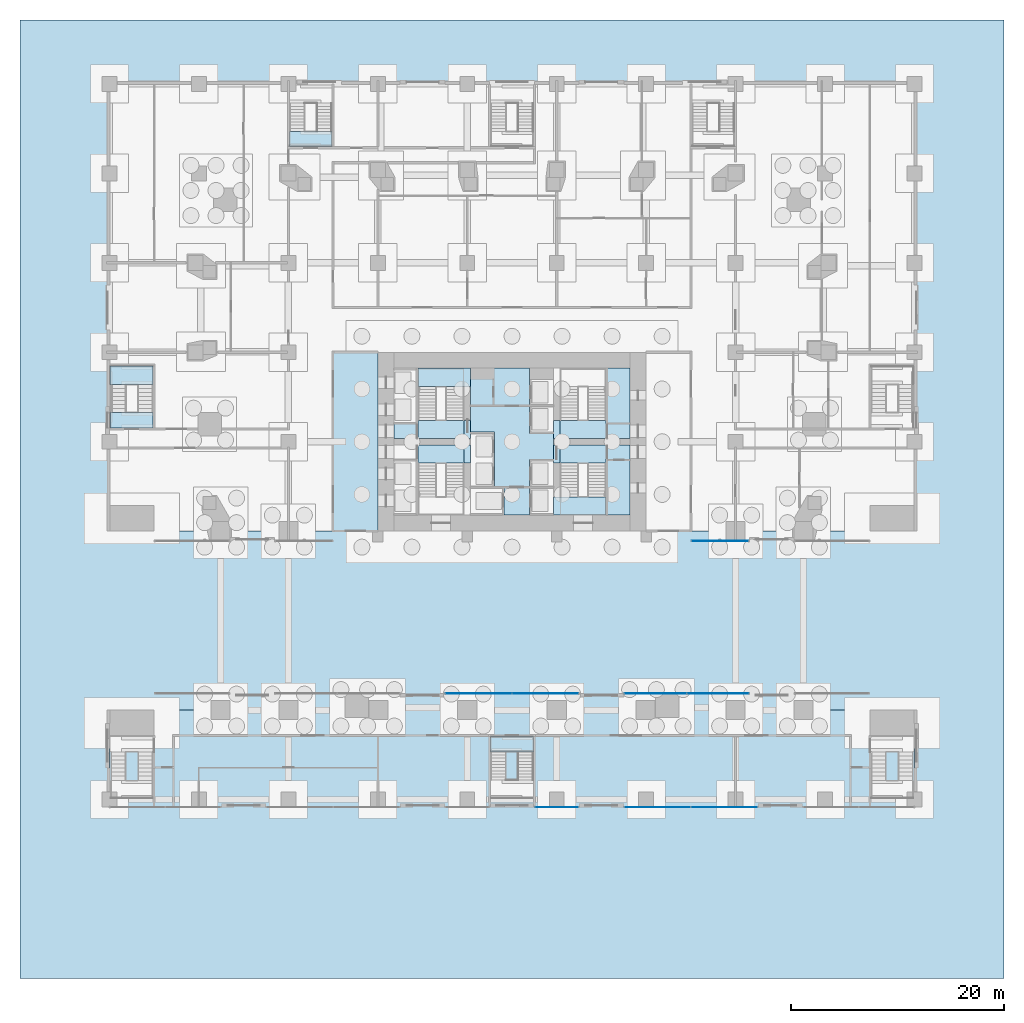
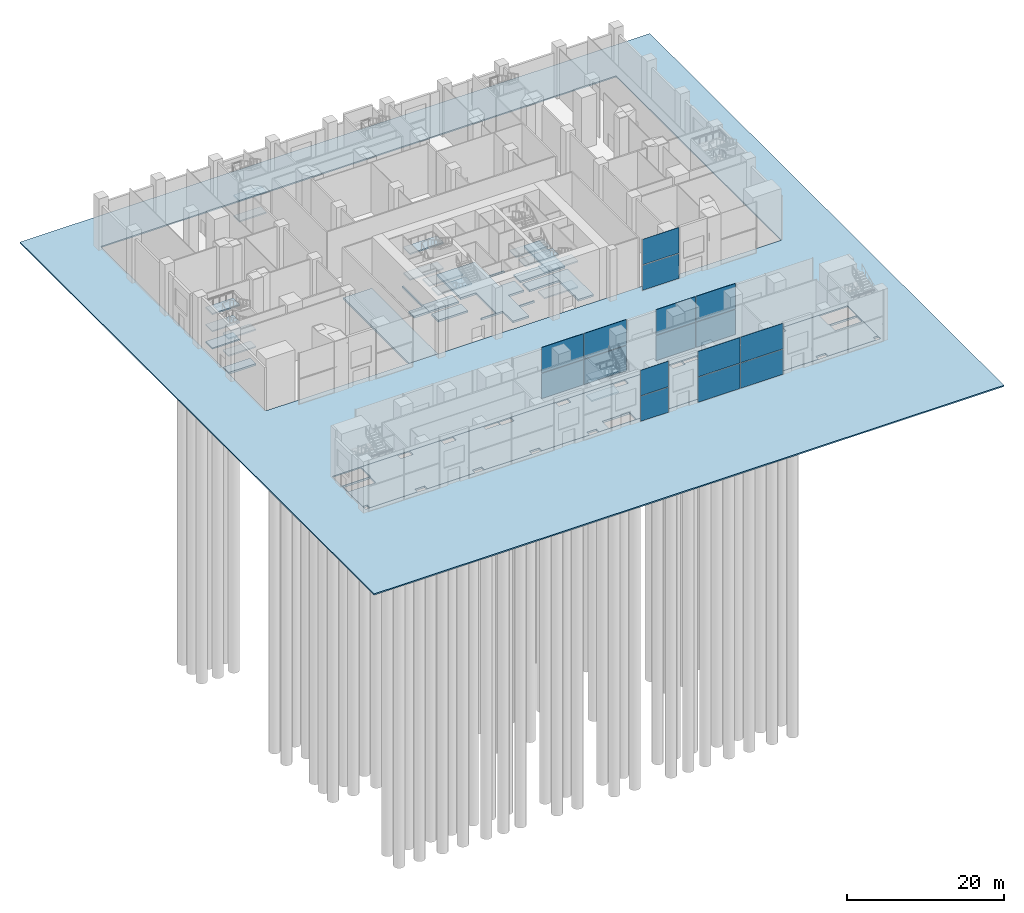
# One storey, part 11 of 31: 29 slabs, 16 plates, 12 elements without a shape of their own.
"""IFC4 building model written with IfcOpenShell, lengths in metres."""

from ifc_helpers import new_model, si_unit, direction, frame, origin, origin_2d, place, context, subcontext, project, spatial, polyline, rectangle, outline, extrude, material, layer, layer_set, type_object, element, aggregate, save


model = new_model("IFC4")

# Units and contexts
model_context = context("Model", 3, precision=1e-05, world=origin(), true_north=direction((0.0, 1.0)))
body_context = subcontext(model_context, "Body", "Model", "MODEL_VIEW")
ifc_project = project(units=[si_unit("LENGTHUNIT", "METRE"), si_unit("AREAUNIT", "SQUARE_METRE"), si_unit("VOLUMEUNIT", "CUBIC_METRE"), si_unit("PLANEANGLEUNIT", "RADIAN"), si_unit("MASSUNIT", "GRAM", prefix="KILO")], contexts=[model_context])

# Site, building, storey
site_placement = place(None, origin())
site = spatial("IfcSite", under=ifc_project, at=site_placement, CompositionType="ELEMENT")
building_placement = place(site_placement, origin())
building = spatial("IfcBuilding", under=site, at=building_placement, Name="Marenta Gate Hotel Tower", CompositionType="ELEMENT")
storey_placement = place(building_placement, origin())
storey = spatial("IfcBuildingStorey", under=building, at=storey_placement, Name="L00", CompositionType="ELEMENT", Elevation=0.0)

# Slabs
ifc_material_1 = material(Name="Concrete C40", Category="concrete")
ifc_layer_1 = layer(ifc_material_1, 0.300048828125)
ifc_layer_set_1 = layer_set([ifc_layer_1], Name="Concrete C40")
slab_type_1 = type_object("IfcSlabType", Name="Core floor slab 300", PredefinedType="FLOOR", material=ifc_layer_set_1)
slab_1_placement = place(storey_placement, frame((0.0, 0.0, -0.300048828125)))
element("IfcSlab", 1, at=slab_1_placement, inside=storey, type_object=slab_type_1, Name="L00-CF-2", PredefinedType="FLOOR", context=body_context, shape_type="SweptSolid", body=[
    extrude(outline(polyline([(8.85009765625, 15.300048828125), (11.10009765625, 15.300048828125), (11.10009765625, 8.699951171875), (8.85009765625, 8.699951171875), (8.85009765625, 10.39990234375), (8.85009765625, 15.300048828125)])), origin(), (0.0, 0.0, 1.0), 0.300048828125),
])
slab_2_placement = place(storey_placement, frame((0.0, 0.0, -0.300048828125)))
element("IfcSlab", 2, at=slab_2_placement, inside=storey, type_object=slab_type_1, Name="L00-CF-3", PredefinedType="FLOOR", context=body_context, shape_type="SweptSolid", body=[
    extrude(outline(polyline([(11.10009765625, 8.10009765625), (11.10009765625, 1.5), (8.85009765625, 1.5), (8.85009765625, 6.39990234375), (8.85009765625, 8.10009765625), (11.10009765625, 8.10009765625)])), origin(), (0.0, 0.0, 1.0), 0.300048828125),
])
slab_3_placement = place(storey_placement, frame((0.0, 0.0, -0.300048828125)))
element("IfcSlab", 3, at=slab_3_placement, inside=storey, type_object=slab_type_1, Name="L00-CF-4", PredefinedType="FLOOR", context=body_context, shape_type="SweptSolid", body=[
    extrude(outline(polyline([(1.64990234375, 14.25), (1.64990234375, 11.85009765625), (1.800048828125, 11.85009765625), (3.89990234375, 11.85009765625), (3.89990234375, 11.699951171875), (1.800048828125, 11.699951171875), (1.64990234375, 11.699951171875), (1.64990234375, 9.300048828125), (1.64990234375, 9.14990234375), (3.89990234375, 9.14990234375), (3.89990234375, 9.300048828125), (3.89990234375, 10.39990234375), (3.89990234375, 10.39990234375), (3.89990234375, 6.39990234375), (3.89990234375, 6.39990234375), (3.89990234375, 6.60009765625), (3.89990234375, 6.75), (1.64990234375, 6.75), (1.64990234375, 6.60009765625), (1.64990234375, 4.199951171875), (1.800048828125, 4.199951171875), (3.89990234375, 4.199951171875), (3.89990234375, 4.050048828125), (1.800048828125, 4.050048828125), (1.64990234375, 4.050048828125), (1.64990234375, 1.64990234375), (1.64990234375, 1.5), (-0.75, 1.5), (-0.75, 4.050048828125), (-0.89990234375, 4.050048828125), (-3.89990234375, 4.050048828125), (-3.89990234375, 4.199951171875), (-1.800048828125, 4.199951171875), (-1.64990234375, 4.199951171875), (-1.64990234375, 9.14990234375), (-1.64990234375, 9.300048828125), (-3.89990234375, 9.300048828125), (-3.89990234375, 9.14990234375), (-3.89990234375, 6.75), (-3.89990234375, 6.60009765625), (-3.89990234375, 6.39990234375), (-3.89990234375, 6.39990234375), (-3.89990234375, 10.39990234375), (-3.89990234375, 10.39990234375), (-3.89990234375, 15.300048828125), (1.64990234375, 15.300048828125), (1.64990234375, 14.25)])), origin(), (0.0, 0.0, 1.0), 0.300048828125),
])
slab_4_placement = place(storey_placement, frame((0.0, 0.0, -0.300048828125)))
element("IfcSlab", 4, at=slab_4_placement, inside=storey, type_object=slab_type_1, Name="L00-CF-6", PredefinedType="FLOOR", context=body_context, shape_type="SweptSolid", body=[
    extrude(outline(polyline([(-8.85009765625, 10.39990234375), (-8.85009765625, 8.699951171875), (-11.10009765625, 8.699951171875), (-11.10009765625, 10.050048828125), (-9.0, 10.050048828125), (-9.0, 10.199951171875), (-9.0, 12.60009765625), (-9.0, 12.75), (-9.0, 15.14990234375), (-9.0, 15.300048828125), (-8.85009765625, 15.300048828125), (-8.85009765625, 10.39990234375)])), origin(), (0.0, 0.0, 1.0), 0.300048828125),
])
slab_5_placement = place(storey_placement, frame((0.0, 0.0, -0.300048828125)))
element("IfcSlab", 5, at=slab_5_placement, inside=storey, type_object=slab_type_1, Name="L00-CF-7", PredefinedType="FLOOR", context=body_context, shape_type="SweptSolid", body=[
    extrude(outline(polyline([(-12.60009765625, 16.800048828125), (-12.60009765625, 0.0), (-16.800048828125, 0.0), (-16.800048828125, 16.800048828125), (-12.60009765625, 16.800048828125)])), origin(), (0.0, 0.0, 1.0), 0.300048828125),
])

# Stair, slab
ifc_material_2 = material(Name="Concrete C40", Category="concrete")
stair_type_1 = type_object("IfcStairType", Name="Core exit stair 1700 wide", PredefinedType="HALF_TURN_STAIR", material=ifc_material_2)
stair_1_placement = place(storey_placement, origin())
stair_1 = element("IfcStair", 6, at=stair_1_placement, inside=storey, type_object=stair_type_1, Name="Exit stair 1", PredefinedType="HALF_TURN_STAIR")
ifc_material_3 = material(Name="Concrete C40", Category="concrete")
ifc_layer_2 = layer(ifc_material_3, 0.199951171875)
ifc_layer_set_2 = layer_set([ifc_layer_2], Name="Concrete C40")
slab_type_2 = type_object("IfcSlabType", Name="Core stair landing 200", PredefinedType="LANDING", material=ifc_layer_set_2)
slab_6_placement = place(storey_placement, frame((0.0, 0.0, 3.800048828125)))
slab_6 = element("IfcSlab", 7, at=slab_6_placement, type_object=slab_type_2, Name="SL-200 ST1 landing 2", PredefinedType="LANDING", context=body_context, shape_type="SweptSolid", body=[
    extrude(outline(polyline([(-8.85009765625, 6.39990234375), (-3.89990234375, 6.39990234375), (-3.89990234375, 8.10009765625), (-8.85009765625, 8.10009765625), (-8.85009765625, 6.39990234375)])), origin(), (0.0, 0.0, 1.0), 0.199951171875),
])
aggregate(stair_1, [slab_6])

# Stair, slabs
stair_2_placement = place(storey_placement, origin())
stair_2 = element("IfcStair", 8, at=stair_2_placement, inside=storey, type_object=stair_type_1, Name="Exit stair 2", PredefinedType="HALF_TURN_STAIR")
slab_7_placement = place(storey_placement, frame((0.0, 0.0, 1.800048828125)))
slab_7 = element("IfcSlab", 9, at=slab_7_placement, type_object=slab_type_2, Name="SL-200 ST2 landing 1", PredefinedType="LANDING", context=body_context, shape_type="SweptSolid", body=[
    extrude(outline(polyline([(-8.85009765625, 13.590087890625), (-3.89990234375, 13.590087890625), (-3.89990234375, 15.300048828125), (-8.85009765625, 15.300048828125), (-8.85009765625, 13.590087890625)])), origin(), (0.0, 0.0, 1.0), 0.199951171875),
])
slab_8_placement = place(storey_placement, frame((0.0, 0.0, 3.800048828125)))
slab_8 = element("IfcSlab", 10, at=slab_8_placement, type_object=slab_type_2, Name="SL-200 ST2 landing 2", PredefinedType="LANDING", context=body_context, shape_type="SweptSolid", body=[
    extrude(outline(polyline([(-8.85009765625, 8.699951171875), (-3.89990234375, 8.699951171875), (-3.89990234375, 10.39990234375), (-8.85009765625, 10.39990234375), (-8.85009765625, 8.699951171875)])), origin(), (0.0, 0.0, 1.0), 0.199951171875),
])
slab_9_placement = place(storey_placement, frame((0.0, 0.0, 5.800048828125)))
slab_9 = element("IfcSlab", 11, at=slab_9_placement, type_object=slab_type_2, Name="SL-200 ST2 landing 3", PredefinedType="LANDING", context=body_context, shape_type="SweptSolid", body=[
    extrude(outline(polyline([(-8.85009765625, 13.590087890625), (-3.89990234375, 13.590087890625), (-3.89990234375, 15.300048828125), (-8.85009765625, 15.300048828125), (-8.85009765625, 13.590087890625)])), origin(), (0.0, 0.0, 1.0), 0.199951171875),
])
aggregate(stair_2, [slab_7, slab_8, slab_9])

stair_3_placement = place(storey_placement, origin())
stair_3 = element("IfcStair", 12, at=stair_3_placement, inside=storey, type_object=stair_type_1, Name="Exit stair 3", PredefinedType="HALF_TURN_STAIR")
slab_10_placement = place(storey_placement, frame((0.0, 0.0, 1.800048828125)))
slab_10 = element("IfcSlab", 13, at=slab_10_placement, type_object=slab_type_2, Name="SL-200 ST3 landing 1", PredefinedType="LANDING", context=body_context, shape_type="SweptSolid", body=[
    extrude(outline(polyline([(3.89990234375, 1.5), (8.85009765625, 1.5), (8.85009765625, 3.2099609375), (3.89990234375, 3.2099609375), (3.89990234375, 1.5)])), origin(), (0.0, 0.0, 1.0), 0.199951171875),
])
slab_11_placement = place(storey_placement, frame((0.0, 0.0, 3.800048828125)))
slab_11 = element("IfcSlab", 14, at=slab_11_placement, type_object=slab_type_2, Name="SL-200 ST3 landing 2", PredefinedType="LANDING", context=body_context, shape_type="SweptSolid", body=[
    extrude(outline(polyline([(3.89990234375, 6.39990234375), (8.85009765625, 6.39990234375), (8.85009765625, 8.10009765625), (3.89990234375, 8.10009765625), (3.89990234375, 6.39990234375)])), origin(), (0.0, 0.0, 1.0), 0.199951171875),
])
slab_12_placement = place(storey_placement, frame((0.0, 0.0, 5.800048828125)))
slab_12 = element("IfcSlab", 15, at=slab_12_placement, type_object=slab_type_2, Name="SL-200 ST3 landing 3", PredefinedType="LANDING", context=body_context, shape_type="SweptSolid", body=[
    extrude(outline(polyline([(3.89990234375, 1.5), (8.85009765625, 1.5), (8.85009765625, 3.2099609375), (3.89990234375, 3.2099609375), (3.89990234375, 1.5)])), origin(), (0.0, 0.0, 1.0), 0.199951171875),
])
aggregate(stair_3, [slab_10, slab_11, slab_12])

# Stair, slab
stair_4_placement = place(storey_placement, origin())
stair_4 = element("IfcStair", 16, at=stair_4_placement, inside=storey, type_object=stair_type_1, Name="Exit stair 4", PredefinedType="HALF_TURN_STAIR")
slab_13_placement = place(storey_placement, frame((0.0, 0.0, 3.800048828125)))
slab_13 = element("IfcSlab", 17, at=slab_13_placement, type_object=slab_type_2, Name="SL-200 ST4 landing 2", PredefinedType="LANDING", context=body_context, shape_type="SweptSolid", body=[
    extrude(outline(polyline([(3.89990234375, 8.699951171875), (8.85009765625, 8.699951171875), (8.85009765625, 10.39990234375), (3.89990234375, 10.39990234375), (3.89990234375, 8.699951171875)])), origin(), (0.0, 0.0, 1.0), 0.199951171875),
])
aggregate(stair_4, [slab_13])

# Stair, slabs
ifc_material_4 = material(Name="Concrete C40", Category="concrete")
stair_type_2 = type_object("IfcStairType", Name="Podium exit stair 1430 wide", PredefinedType="HALF_TURN_STAIR", material=ifc_material_4)
stair_5_placement = place(storey_placement, origin())
stair_5 = element("IfcStair", 18, at=stair_5_placement, inside=storey, type_object=stair_type_2, Name="Podium exit stair 3", PredefinedType="HALF_TURN_STAIR")
slab_14_placement = place(storey_placement, frame((0.0, 0.0, 1.39990234375)))
slab_14 = element("IfcSlab", 19, at=slab_14_placement, type_object=slab_type_2, Name="SL-200 PX3 landing 1", PredefinedType="LANDING", context=body_context, shape_type="SweptSolid", body=[
    extrude(outline(polyline([(-20.89990234375, 36.10009765625), (-16.89990234375, 36.10009765625), (-16.89990234375, 37.530029296875), (-20.89990234375, 37.530029296875), (-20.89990234375, 36.10009765625)])), origin(), (0.0, 0.0, 1.0), 0.2001953125),
])
slab_15_placement = place(storey_placement, frame((0.0, 0.0, 4.60009765625)))
slab_15 = element("IfcSlab", 20, at=slab_15_placement, type_object=slab_type_2, Name="SL-200 PX3 landing 3", PredefinedType="LANDING", context=body_context, shape_type="SweptSolid", body=[
    extrude(outline(polyline([(-20.89990234375, 36.10009765625), (-16.89990234375, 36.10009765625), (-16.89990234375, 37.530029296875), (-20.89990234375, 37.530029296875), (-20.89990234375, 36.10009765625)])), origin(), (0.0, 0.0, 1.0), 0.199951171875),
])
aggregate(stair_5, [slab_14, slab_15])

stair_6_placement = place(storey_placement, origin())
stair_6 = element("IfcStair", 21, at=stair_6_placement, inside=storey, type_object=stair_type_2, Name="Podium exit stair 5", PredefinedType="HALF_TURN_STAIR")
slab_16_placement = place(storey_placement, frame((0.0, 0.0, 1.39990234375)))
slab_16 = element("IfcSlab", 22, at=slab_16_placement, type_object=slab_type_2, Name="SL-200 PX5 landing 1", PredefinedType="LANDING", context=body_context, shape_type="SweptSolid", body=[
    extrude(outline(polyline([(-2.0, -20.72998046875), (2.0, -20.72998046875), (2.0, -19.300048828125), (-2.0, -19.300048828125), (-2.0, -20.72998046875)])), origin(), (0.0, 0.0, 1.0), 0.2001953125),
])
slab_17_placement = place(storey_placement, frame((0.0, 0.0, 4.60009765625)))
slab_17 = element("IfcSlab", 23, at=slab_17_placement, type_object=slab_type_2, Name="SL-200 PX5 landing 3", PredefinedType="LANDING", context=body_context, shape_type="SweptSolid", body=[
    extrude(outline(polyline([(-2.0, -20.72998046875), (2.0, -20.72998046875), (2.0, -19.300048828125), (-2.0, -19.300048828125), (-2.0, -20.72998046875)])), origin(), (0.0, 0.0, 1.0), 0.199951171875),
])
aggregate(stair_6, [slab_16, slab_17])

stair_7_placement = place(storey_placement, origin())
stair_7 = element("IfcStair", 24, at=stair_7_placement, inside=storey, type_object=stair_type_2, Name="Podium exit stair 6", PredefinedType="HALF_TURN_STAIR")
slab_18_placement = place(storey_placement, frame((0.0, 0.0, 1.13330078125)))
slab_18 = element("IfcSlab", 25, at=slab_18_placement, type_object=slab_type_2, Name="SL-200 PX6 landing 1", PredefinedType="LANDING", context=body_context, shape_type="SweptSolid", body=[
    extrude(outline(polyline([(-37.739990234375, 13.7900390625), (-33.699951171875, 13.7900390625), (-33.699951171875, 15.5), (-37.739990234375, 15.5), (-37.739990234375, 13.7900390625)])), origin(), (0.0, 0.0, 1.0), 0.199951171875),
])
slab_19_placement = place(storey_placement, frame((0.0, 0.0, 2.466552734375)))
slab_19 = element("IfcSlab", 26, at=slab_19_placement, type_object=slab_type_2, Name="SL-200 PX6 landing 2", PredefinedType="LANDING", context=body_context, shape_type="SweptSolid", body=[
    extrude(outline(polyline([(-37.739990234375, 9.699951171875), (-33.699951171875, 9.699951171875), (-33.699951171875, 11.1298828125), (-37.739990234375, 11.1298828125), (-37.739990234375, 9.699951171875)])), origin(), (0.0, 0.0, 1.0), 0.2001953125),
])
slab_20_placement = place(storey_placement, frame((0.0, 0.0, 3.800048828125)))
slab_20 = element("IfcSlab", 27, at=slab_20_placement, type_object=slab_type_2, Name="SL-200 PX6 landing 3", PredefinedType="LANDING", context=body_context, shape_type="SweptSolid", body=[
    extrude(outline(polyline([(-37.739990234375, 13.7900390625), (-33.699951171875, 13.7900390625), (-33.699951171875, 15.5), (-37.739990234375, 15.5), (-37.739990234375, 13.7900390625)])), origin(), (0.0, 0.0, 1.0), 0.199951171875),
])
slab_21_placement = place(storey_placement, frame((0.0, 0.0, 5.13330078125)))
slab_21 = element("IfcSlab", 28, at=slab_21_placement, type_object=slab_type_2, Name="SL-200 PX6 landing 4", PredefinedType="LANDING", context=body_context, shape_type="SweptSolid", body=[
    extrude(outline(polyline([(-37.739990234375, 9.699951171875), (-33.699951171875, 9.699951171875), (-33.699951171875, 11.1298828125), (-37.739990234375, 11.1298828125), (-37.739990234375, 9.699951171875)])), origin(), (0.0, 0.0, 1.0), 0.199951171875),
])
slab_22_placement = place(storey_placement, frame((0.0, 0.0, 6.466552734375)))
slab_22 = element("IfcSlab", 29, at=slab_22_placement, type_object=slab_type_2, Name="SL-200 PX6 landing 5", PredefinedType="LANDING", context=body_context, shape_type="SweptSolid", body=[
    extrude(outline(polyline([(-37.739990234375, 13.7900390625), (-33.699951171875, 13.7900390625), (-33.699951171875, 15.5), (-37.739990234375, 15.5), (-37.739990234375, 13.7900390625)])), origin(), (0.0, 0.0, 1.0), 0.2001953125),
])
aggregate(stair_7, [slab_18, slab_19, slab_20, slab_21, slab_22])

# Curtain wall, plates
ifc_material_5 = material(Name="Tinted insulated glass in bronze anodised frame", Category="glass")
ifc_layer_3 = layer(ifc_material_5, 0.1298828125)
ifc_layer_set_3 = layer_set([ifc_layer_3], Name="Tinted insulated glass in bronze anodised frame")
curtain_wall_type_1 = type_object("IfcCurtainWallType", Name="Podium shopfront glazing CW5", PredefinedType="NOTDEFINED", material=ifc_layer_set_3)
curtain_wall_1_placement = place(storey_placement, origin())
curtain_wall_1 = element("IfcCurtainWall", 30, at=curtain_wall_1_placement, inside=storey, type_object=curtain_wall_type_1, Name="CW5 run SB-S003", PredefinedType="NOTDEFINED")
ifc_material_6 = material(Name="Tinted insulated glass", Category="glass")
ifc_layer_4 = layer(ifc_material_6, 0.033935546875)
ifc_layer_set_4 = layer_set([ifc_layer_4], Name="Tinted insulated glass")
plate_type_1 = type_object("IfcPlateType", Name="Glass panel CW5 34 mm tinted insulated unit", PredefinedType="CURTAIN_PANEL", material=ifc_layer_set_4)
plate_1_placement = place(storey_placement, frame((4.199951171875, -25.9189453125, 0.080078125), z_axis=(0.0, 0.0, 1.0), x_axis=(1.0, 0.0, 0.0)))
plate_1 = element("IfcPlate", 31, at=plate_1_placement, type_object=plate_type_1, Name="CW5 panel 1.1", PredefinedType="CURTAIN_PANEL", context=body_context, shape_type="SweptSolid", body=[
    extrude(rectangle(XDim=4.0400390625, YDim=0.033935546875, at=origin_2d()), origin(), (0.0, 0.0, 1.0), 3.8798828125),
])
plate_2_placement = place(storey_placement, frame((4.199951171875, -25.9189453125, 4.0400390625), z_axis=(0.0, 0.0, 1.0), x_axis=(1.0, 0.0, 0.0)))
plate_2 = element("IfcPlate", 32, at=plate_2_placement, type_object=plate_type_1, Name="CW5 panel 1.2", PredefinedType="CURTAIN_PANEL", context=body_context, shape_type="SweptSolid", body=[
    extrude(rectangle(XDim=4.0400390625, YDim=0.033935546875, at=origin_2d()), origin(), (0.0, 0.0, 1.0), 3.9599609375),
])
aggregate(curtain_wall_1, [plate_1, plate_2])

curtain_wall_2_placement = place(storey_placement, origin())
curtain_wall_2 = element("IfcCurtainWall", 33, at=curtain_wall_2_placement, inside=storey, type_object=curtain_wall_type_1, Name="CW5 run SB-S004", PredefinedType="NOTDEFINED")
plate_3_placement = place(storey_placement, frame((13.669921875, -25.9189453125, 0.080078125), z_axis=(0.0, 0.0, 1.0), x_axis=(1.0, 0.0, 0.0)))
plate_3 = element("IfcPlate", 34, at=plate_3_placement, type_object=plate_type_1, Name="CW5 panel 1.1", PredefinedType="CURTAIN_PANEL", context=body_context, shape_type="SweptSolid", body=[
    extrude(rectangle(XDim=6.179931640625, YDim=0.033935546875, at=origin_2d()), origin(), (0.0, 0.0, 1.0), 3.8798828125),
])
plate_4_placement = place(storey_placement, frame((13.669921875, -25.9189453125, 4.0400390625), z_axis=(0.0, 0.0, 1.0), x_axis=(1.0, 0.0, 0.0)))
plate_4 = element("IfcPlate", 35, at=plate_4_placement, type_object=plate_type_1, Name="CW5 panel 1.2", PredefinedType="CURTAIN_PANEL", context=body_context, shape_type="SweptSolid", body=[
    extrude(rectangle(XDim=6.179931640625, YDim=0.033935546875, at=origin_2d()), origin(), (0.0, 0.0, 1.0), 3.9599609375),
])
plate_5_placement = place(storey_placement, frame((19.929931640625, -25.9189453125, 0.080078125), z_axis=(0.0, 0.0, 1.0), x_axis=(1.0, 0.0, 0.0)))
plate_5 = element("IfcPlate", 36, at=plate_5_placement, type_object=plate_type_1, Name="CW5 panel 2.1", PredefinedType="CURTAIN_PANEL", context=body_context, shape_type="SweptSolid", body=[
    extrude(rectangle(XDim=6.179931640625, YDim=0.033935546875, at=origin_2d()), origin(), (0.0, 0.0, 1.0), 3.8798828125),
])
plate_6_placement = place(storey_placement, frame((19.929931640625, -25.9189453125, 4.0400390625), z_axis=(0.0, 0.0, 1.0), x_axis=(1.0, 0.0, 0.0)))
plate_6 = element("IfcPlate", 37, at=plate_6_placement, type_object=plate_type_1, Name="CW5 panel 2.2", PredefinedType="CURTAIN_PANEL", context=body_context, shape_type="SweptSolid", body=[
    extrude(rectangle(XDim=6.179931640625, YDim=0.033935546875, at=origin_2d()), origin(), (0.0, 0.0, 1.0), 3.9599609375),
])
aggregate(curtain_wall_2, [plate_3, plate_4, plate_5, plate_6])

curtain_wall_3_placement = place(storey_placement, origin())
curtain_wall_3 = element("IfcCurtainWall", 38, at=curtain_wall_3_placement, inside=storey, type_object=curtain_wall_type_1, Name="CW5 run SB-N001", PredefinedType="NOTDEFINED")
plate_7_placement = place(storey_placement, frame((19.330078125, -15.255859375, 0.080078125), z_axis=(0.0, 0.0, 1.0), x_axis=(-1.0, 0.0, 0.0)))
plate_7 = element("IfcPlate", 39, at=plate_7_placement, type_object=plate_type_1, Name="CW5 panel 1.1", PredefinedType="CURTAIN_PANEL", context=body_context, shape_type="SweptSolid", body=[
    extrude(rectangle(XDim=5.780029296875, YDim=0.033935546875, at=origin_2d()), origin(), (0.0, 0.0, 1.0), 3.8798828125),
])
plate_8_placement = place(storey_placement, frame((19.330078125, -15.255859375, 4.0400390625), z_axis=(0.0, 0.0, 1.0), x_axis=(-1.0, 0.0, 0.0)))
plate_8 = element("IfcPlate", 40, at=plate_8_placement, type_object=plate_type_1, Name="CW5 panel 1.2", PredefinedType="CURTAIN_PANEL", context=body_context, shape_type="SweptSolid", body=[
    extrude(rectangle(XDim=5.780029296875, YDim=0.033935546875, at=origin_2d()), origin(), (0.0, 0.0, 1.0), 3.9599609375),
])
plate_9_placement = place(storey_placement, frame((13.469970703125, -15.255859375, 0.080078125), z_axis=(0.0, 0.0, 1.0), x_axis=(-1.0, 0.0, 0.0)))
plate_9 = element("IfcPlate", 41, at=plate_9_placement, type_object=plate_type_1, Name="CW5 panel 2.1", PredefinedType="CURTAIN_PANEL", context=body_context, shape_type="SweptSolid", body=[
    extrude(rectangle(XDim=5.780029296875, YDim=0.033935546875, at=origin_2d()), origin(), (0.0, 0.0, 1.0), 3.8798828125),
])
plate_10_placement = place(storey_placement, frame((13.469970703125, -15.255859375, 4.0400390625), z_axis=(0.0, 0.0, 1.0), x_axis=(-1.0, 0.0, 0.0)))
plate_10 = element("IfcPlate", 42, at=plate_10_placement, type_object=plate_type_1, Name="CW5 panel 2.2", PredefinedType="CURTAIN_PANEL", context=body_context, shape_type="SweptSolid", body=[
    extrude(rectangle(XDim=5.780029296875, YDim=0.033935546875, at=origin_2d()), origin(), (0.0, 0.0, 1.0), 3.9599609375),
])
aggregate(curtain_wall_3, [plate_7, plate_8, plate_9, plate_10])

curtain_wall_4_placement = place(storey_placement, origin())
curtain_wall_4 = element("IfcCurtainWall", 43, at=curtain_wall_4_placement, inside=storey, type_object=curtain_wall_type_1, Name="CW5 run SB-N002", PredefinedType="NOTDEFINED")
plate_11_placement = place(storey_placement, frame((3.1298828125, -15.255859375, 0.080078125), z_axis=(0.0, 0.0, 1.0), x_axis=(-1.0, 0.0, 0.0)))
plate_11 = element("IfcPlate", 44, at=plate_11_placement, type_object=plate_type_1, Name="CW5 panel 1.1", PredefinedType="CURTAIN_PANEL", context=body_context, shape_type="SweptSolid", body=[
    extrude(rectangle(XDim=6.179931640625, YDim=0.033935546875, at=origin_2d()), origin(), (0.0, 0.0, 1.0), 3.8798828125),
])
plate_12_placement = place(storey_placement, frame((3.1298828125, -15.255859375, 4.0400390625), z_axis=(0.0, 0.0, 1.0), x_axis=(-1.0, 0.0, 0.0)))
plate_12 = element("IfcPlate", 45, at=plate_12_placement, type_object=plate_type_1, Name="CW5 panel 1.2", PredefinedType="CURTAIN_PANEL", context=body_context, shape_type="SweptSolid", body=[
    extrude(rectangle(XDim=6.179931640625, YDim=0.033935546875, at=origin_2d()), origin(), (0.0, 0.0, 1.0), 3.9599609375),
])
plate_13_placement = place(storey_placement, frame((-3.1298828125, -15.255859375, 0.080078125), z_axis=(0.0, 0.0, 1.0), x_axis=(-1.0, 0.0, 0.0)))
plate_13 = element("IfcPlate", 46, at=plate_13_placement, type_object=plate_type_1, Name="CW5 panel 2.1", PredefinedType="CURTAIN_PANEL", context=body_context, shape_type="SweptSolid", body=[
    extrude(rectangle(XDim=6.179931640625, YDim=0.033935546875, at=origin_2d()), origin(), (0.0, 0.0, 1.0), 3.8798828125),
])
plate_14_placement = place(storey_placement, frame((-3.1298828125, -15.255859375, 4.0400390625), z_axis=(0.0, 0.0, 1.0), x_axis=(-1.0, 0.0, 0.0)))
plate_14 = element("IfcPlate", 47, at=plate_14_placement, type_object=plate_type_1, Name="CW5 panel 2.2", PredefinedType="CURTAIN_PANEL", context=body_context, shape_type="SweptSolid", body=[
    extrude(rectangle(XDim=6.179931640625, YDim=0.033935546875, at=origin_2d()), origin(), (0.0, 0.0, 1.0), 3.9599609375),
])
aggregate(curtain_wall_4, [plate_11, plate_12, plate_13, plate_14])

ifc_material_7 = material(Name="Tinted insulated glass in bronze anodised frame", Category="glass")
ifc_layer_5 = layer(ifc_material_7, 0.139892578125)
ifc_layer_set_5 = layer_set([ifc_layer_5], Name="Tinted insulated glass in bronze anodised frame")
curtain_wall_type_2 = type_object("IfcCurtainWallType", Name="Hotel lobby glazing CW6", PredefinedType="NOTDEFINED", material=ifc_layer_set_5)
curtain_wall_5_placement = place(storey_placement, origin())
curtain_wall_5 = element("IfcCurtainWall", 48, at=curtain_wall_5_placement, inside=storey, type_object=curtain_wall_type_2, Name="CW6 run NB-S100", PredefinedType="NOTDEFINED")
ifc_material_8 = material(Name="Tinted insulated glass", Category="glass")
ifc_layer_6 = layer(ifc_material_8, 0.0439453125)
ifc_layer_set_6 = layer_set([ifc_layer_6], Name="Tinted insulated glass")
plate_type_2 = type_object("IfcPlateType", Name="Glass panel CW6 44 mm tinted insulated unit", PredefinedType="CURTAIN_PANEL", material=ifc_layer_set_6)
plate_15_placement = place(storey_placement, frame((19.550048828125, -0.924072265625, 0.099853515625), z_axis=(0.0, 0.0, 1.0), x_axis=(1.0, 0.0, 0.0)))
plate_15 = element("IfcPlate", 49, at=plate_15_placement, type_object=plate_type_2, Name="CW6 panel 1.1", PredefinedType="CURTAIN_PANEL", context=body_context, shape_type="SweptSolid", body=[
    extrude(rectangle(XDim=5.300048828125, YDim=0.0439453125, at=origin_2d()), origin(), (0.0, 0.0, 1.0), 3.85009765625),
])
plate_16_placement = place(storey_placement, frame((19.550048828125, -0.924072265625, 4.0498046875), z_axis=(0.0, 0.0, 1.0), x_axis=(1.0, 0.0, 0.0)))
plate_16 = element("IfcPlate", 50, at=plate_16_placement, type_object=plate_type_2, Name="CW6 panel 1.2", PredefinedType="CURTAIN_PANEL", context=body_context, shape_type="SweptSolid", body=[
    extrude(rectangle(XDim=5.300048828125, YDim=0.0439453125, at=origin_2d()), origin(), (0.0, 0.0, 1.0), 3.949951171875),
])
aggregate(curtain_wall_5, [plate_15, plate_16])

# Slabs
ifc_material_9 = material(Name="Concrete C40", Category="concrete")
ifc_layer_7 = layer(ifc_material_9, 0.300048828125)
ifc_layer_set_7 = layer_set([ifc_layer_7], Name="Concrete C40")
slab_type_3 = type_object("IfcSlabType", Name="Ground slab 300 C40", PredefinedType="BASESLAB", material=ifc_layer_set_7)
slab_23_placement = place(storey_placement, frame((0.0, 0.0, -0.300048828125)))
element("IfcSlab", 51, at=slab_23_placement, inside=storey, type_object=slab_type_3, Name="PS3 L00-PSL-2", PredefinedType="BASESLAB", context=body_context, shape_type="SweptSolid", body=[
    extrude(outline(polyline([(-26.462890625, -16.800048828125), (-21.89990234375, -16.800048828125), (-21.89990234375, -17.699951171875), (-20.10009765625, -17.699951171875), (-20.10009765625, -16.800048828125), (-15.666259765625, -16.800048828125), (-15.666259765625, -17.474853515625), (-13.46630859375, -17.474853515625), (-13.46630859375, -16.800048828125), (-13.4462890625, -16.800048828125), (-13.4462890625, -17.699951171875), (-11.646240234375, -17.699951171875), (-11.646240234375, -16.800048828125), (-5.10009765625, -16.800048828125), (-5.10009765625, -17.699951171875), (-3.300048828125, -17.699951171875), (-3.300048828125, -16.800048828125), (3.300048828125, -16.800048828125), (3.300048828125, -17.699951171875), (5.10009765625, -17.699951171875), (5.10009765625, -16.800048828125), (11.646240234375, -16.800048828125), (11.646240234375, -17.699951171875), (13.4462890625, -17.699951171875), (13.4462890625, -16.800048828125), (13.46630859375, -16.800048828125), (13.46630859375, -17.474853515625), (15.666259765625, -17.474853515625), (15.666259765625, -16.800048828125), (20.10009765625, -16.800048828125), (20.10009765625, -17.699951171875), (21.89990234375, -17.699951171875), (21.89990234375, -16.800048828125), (26.462890625, -16.800048828125), (26.462890625, -17.699951171875), (28.262939453125, -17.699951171875), (28.262939453125, -16.800048828125), (33.60009765625, -16.800048828125), (33.60009765625, -19.199951171875), (37.800048828125, -19.199951171875), (37.800048828125, -24.5), (37.10009765625, -24.5), (37.10009765625, -25.199951171875), (30.10009765625, -25.199951171875), (30.10009765625, -24.5), (28.699951171875, -24.5), (28.699951171875, -25.199951171875), (21.699951171875, -25.199951171875), (21.699951171875, -24.5), (20.300048828125, -24.5), (20.300048828125, -25.199951171875), (13.300048828125, -25.199951171875), (13.300048828125, -24.5), (11.89990234375, -24.5), (11.89990234375, -25.199951171875), (4.89990234375, -25.199951171875), (4.89990234375, -24.5), (3.5, -24.5), (3.5, -25.199951171875), (-3.5, -25.199951171875), (-3.5, -24.5), (-4.89990234375, -24.5), (-4.89990234375, -25.199951171875), (-11.89990234375, -25.199951171875), (-11.89990234375, -24.5), (-13.300048828125, -24.5), (-13.300048828125, -25.199951171875), (-20.300048828125, -25.199951171875), (-20.300048828125, -24.5), (-21.699951171875, -24.5), (-21.699951171875, -25.199951171875), (-28.699951171875, -25.199951171875), (-28.699951171875, -24.5), (-30.10009765625, -24.5), (-30.10009765625, -25.199951171875), (-37.10009765625, -25.199951171875), (-37.10009765625, -24.5), (-37.800048828125, -24.5), (-37.800048828125, -19.199951171875), (-33.60009765625, -19.199951171875), (-33.60009765625, -16.800048828125), (-28.262939453125, -16.800048828125), (-28.262939453125, -17.699951171875), (-26.462890625, -17.699951171875), (-26.462890625, -16.800048828125)]), holes=[polyline([(-37.699951171875, -20.72998046875), (-33.699951171875, -20.72998046875), (-33.699951171875, -19.300048828125), (-37.699951171875, -19.300048828125), (-37.699951171875, -20.72998046875)]), polyline([(33.699951171875, -19.300048828125), (33.699951171875, -20.72998046875), (37.699951171875, -20.72998046875), (37.699951171875, -19.300048828125), (33.699951171875, -19.300048828125)]), polyline([(2.0, -23.385009765625), (-2.0, -23.385009765625), (-2.0, -25.10009765625), (2.0, -25.10009765625), (2.0, -23.385009765625)])]), origin(), (0.0, 0.0, 1.0), 0.300048828125),
])
ifc_material_10 = material(Name="Granite paving", Category="masonry")
ifc_layer_8 = layer(ifc_material_10, 0.199951171875)
ifc_layer_set_8 = layer_set([ifc_layer_8], Name="Granite paving")
slab_type_4 = type_object("IfcSlabType", Name="Paving 200 mm granite on bed", PredefinedType="USERDEFINED", material=ifc_layer_set_8)
slab_24_placement = place(storey_placement, frame((0.0, 0.0, -0.199951171875)))
element("IfcSlab", 52, at=slab_24_placement, inside=storey, type_object=slab_type_4, Name="Paving", ObjectType="PAVING", PredefinedType="USERDEFINED", context=body_context, shape_type="SweptSolid", body=[
    extrude(outline(polyline([(-46.199951171875, -42.0), (-46.199951171875, 48.0), (46.199951171875, 48.0), (46.199951171875, -42.0), (-46.199951171875, -42.0)]), holes=[polyline([(37.800048828125, -25.199951171875), (37.800048828125, -16.800048828125), (-37.800048828125, -16.800048828125), (-37.800048828125, -25.199951171875), (37.800048828125, -25.199951171875)]), polyline([(37.800048828125, 0.0), (37.800048828125, 42.0), (-37.800048828125, 42.0), (-37.800048828125, 0.0), (37.800048828125, 0.0)])]), origin(), (0.0, 0.0, 1.0), 0.199951171875),
])
ifc_material_11 = material(Name="Concrete C40", Category="concrete")
ifc_layer_9 = layer(ifc_material_11, 0.300048828125)
ifc_layer_set_9 = layer_set([ifc_layer_9], Name="Concrete C40")
slab_type_5 = type_object("IfcSlabType", Name="Stair floor landing slab 300", PredefinedType="FLOOR", material=ifc_layer_set_9)
slab_25_placement = place(storey_placement, frame((0.0, 0.0, -0.300048828125)))
element("IfcSlab", 53, at=slab_25_placement, inside=storey, type_object=slab_type_5, Name="L00-CL-ST1-1", PredefinedType="FLOOR", context=body_context, shape_type="SweptSolid", body=[
    extrude(outline(polyline([(-4.5, 6.39990234375), (-8.85009765625, 6.39990234375), (-8.85009765625, 8.10009765625), (-4.5, 8.10009765625), (-4.5, 6.39990234375)])), origin(), (0.0, 0.0, 1.0), 0.300048828125),
])
slab_26_placement = place(storey_placement, frame((0.0, 0.0, -0.300048828125)))
element("IfcSlab", 54, at=slab_26_placement, inside=storey, type_object=slab_type_5, Name="L00-CL-ST2-1", PredefinedType="FLOOR", context=body_context, shape_type="SweptSolid", body=[
    extrude(outline(polyline([(-4.5, 8.699951171875), (-8.85009765625, 8.699951171875), (-8.85009765625, 10.39990234375), (-4.5, 10.39990234375), (-4.5, 8.699951171875)])), origin(), (0.0, 0.0, 1.0), 0.300048828125),
])
slab_27_placement = place(storey_placement, frame((0.0, 0.0, -0.300048828125)))
element("IfcSlab", 55, at=slab_27_placement, inside=storey, type_object=slab_type_5, Name="L00-CL-ST3-1", PredefinedType="FLOOR", context=body_context, shape_type="SweptSolid", body=[
    extrude(outline(polyline([(4.5, 6.39990234375), (4.5, 8.10009765625), (8.85009765625, 8.10009765625), (8.85009765625, 6.39990234375), (4.5, 6.39990234375)])), origin(), (0.0, 0.0, 1.0), 0.300048828125),
])
slab_28_placement = place(storey_placement, frame((0.0, 0.0, -0.300048828125)))
element("IfcSlab", 56, at=slab_28_placement, inside=storey, type_object=slab_type_5, Name="L00-CL-ST4-1", PredefinedType="FLOOR", context=body_context, shape_type="SweptSolid", body=[
    extrude(outline(polyline([(4.5, 8.699951171875), (4.5, 10.39990234375), (8.85009765625, 10.39990234375), (8.85009765625, 8.699951171875), (4.5, 8.699951171875)])), origin(), (0.0, 0.0, 1.0), 0.300048828125),
])
slab_29_placement = place(storey_placement, frame((0.0, 0.0, -0.300048828125)))
element("IfcSlab", 57, at=slab_29_placement, inside=storey, type_object=slab_type_5, Name="L00-CL-PX6-1", PredefinedType="FLOOR", context=body_context, shape_type="SweptSolid", body=[
    extrude(outline(polyline([(-33.699951171875, 9.699951171875), (-37.699951171875, 9.699951171875), (-37.699951171875, 11.1298828125), (-33.699951171875, 11.1298828125), (-33.699951171875, 9.699951171875)])), origin(), (0.0, 0.0, 1.0), 0.300048828125),
])

save(model, "model.ifc")
